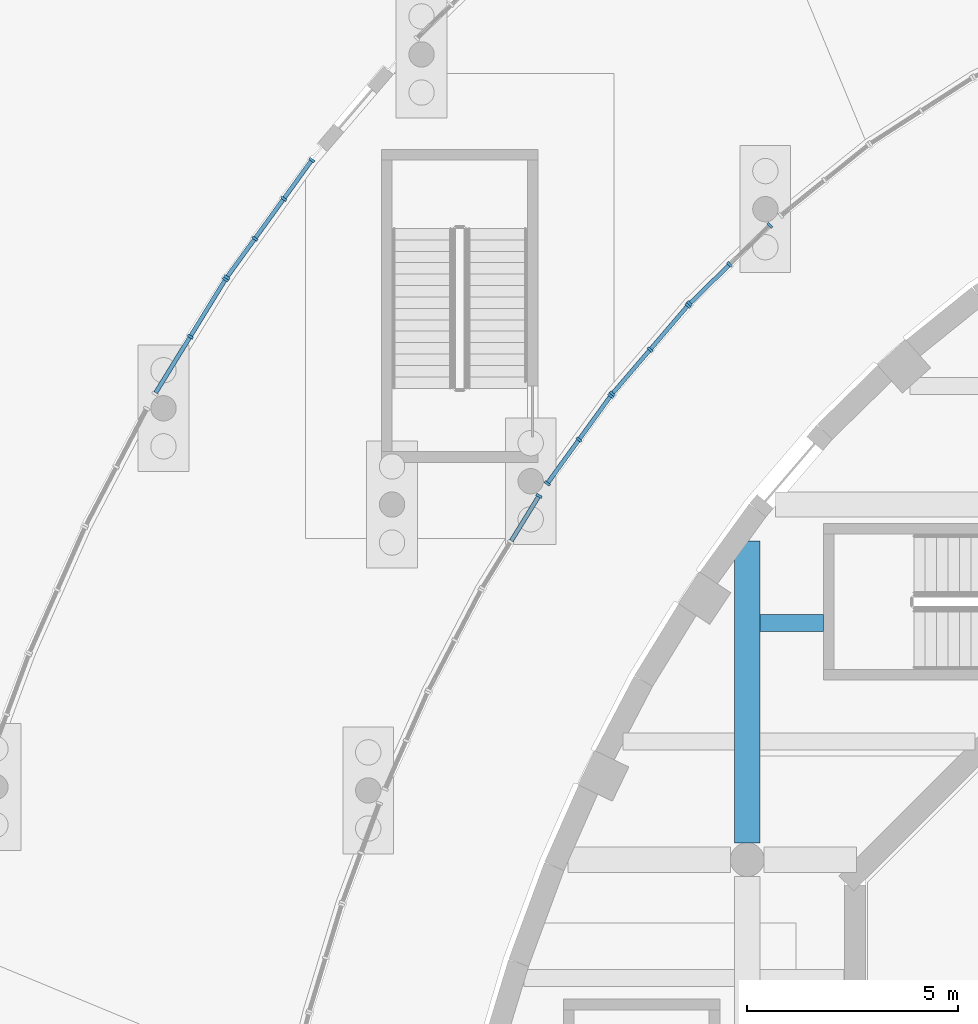
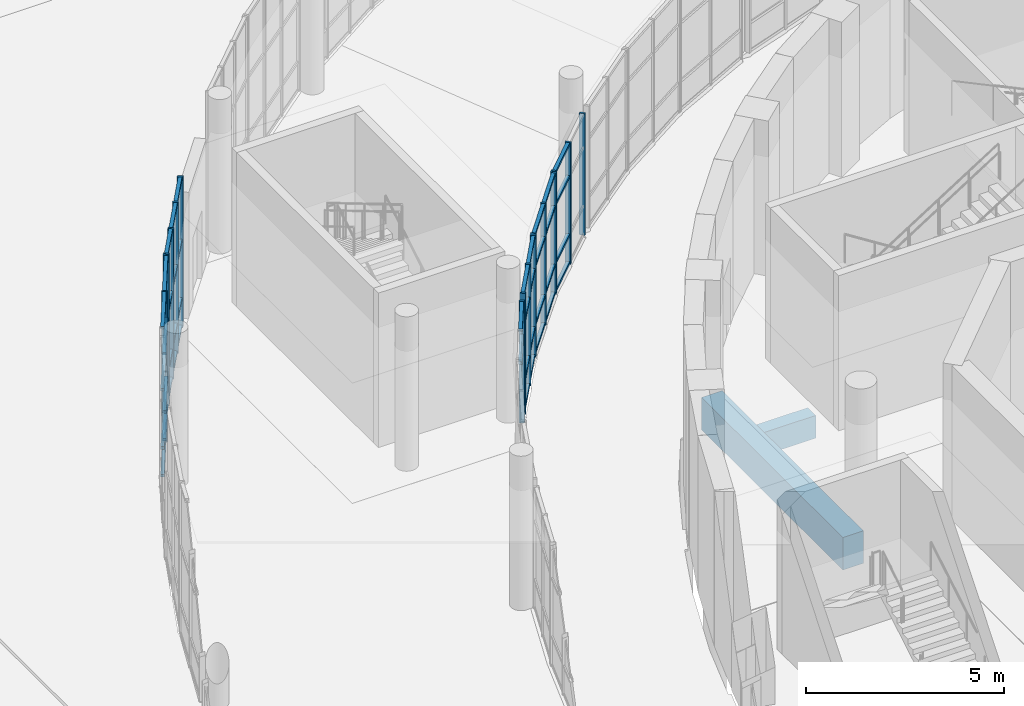
# One storey, part 28 of 110: 58 members, 2 beams, 6 elements without a shape of their own.
"""IFC4 building model written with IfcOpenShell, lengths in metres."""

from ifc_helpers import new_model, si_unit, direction, frame, origin, origin_2d, place, context, subcontext, project, spatial, rectangle, extrude, material, layer, layer_set, material_profile, profile_set, type_object, element, aggregate, save


model = new_model("IFC4")

# Units and contexts
model_context = context("Model", 3, precision=1e-05, world=origin(), true_north=direction((0.0, 1.0)))
body_context = subcontext(model_context, "Body", "Model", "MODEL_VIEW")
ifc_project = project(units=[si_unit("LENGTHUNIT", "METRE"), si_unit("AREAUNIT", "SQUARE_METRE"), si_unit("VOLUMEUNIT", "CUBIC_METRE"), si_unit("PLANEANGLEUNIT", "RADIAN"), si_unit("MASSUNIT", "GRAM", prefix="KILO")], contexts=[model_context])

# Site, building, storey
site_placement = place(None, origin())
site = spatial("IfcSite", under=ifc_project, at=site_placement, CompositionType="ELEMENT")
building_placement = place(site_placement, origin())
building = spatial("IfcBuilding", under=site, at=building_placement, Name="Larchfold Concert Hall", CompositionType="ELEMENT")
storey_placement = place(building_placement, origin())
storey = spatial("IfcBuildingStorey", under=building, at=storey_placement, Name="L00", CompositionType="ELEMENT", Elevation=0.0)

# Curtain wall, member
ifc_material_1 = material(Name="Anodised graphite aluminium curtain wall", Category="aluminium")
ifc_layer = layer(ifc_material_1, 0.14990234375)
ifc_layer_set = layer_set([ifc_layer], Name="Anodised graphite aluminium curtain wall")
curtain_wall_type = type_object("IfcCurtainWallType", Name="Curtain wall WG", PredefinedType="NOTDEFINED", material=ifc_layer_set)
curtain_wall_1_placement = place(storey_placement, origin())
curtain_wall_1 = element("IfcCurtainWall", 1, at=curtain_wall_1_placement, inside=storey, type_object=curtain_wall_type, Name="Curtain wall CW0080", PredefinedType="NOTDEFINED")
ifc_material_2 = material(Name="Anodised graphite aluminium mullion", Category="aluminium")
ifc_material_profile_1 = material_profile(ifc_material_2, rectangle(XDim=0.14990234375, YDim=0.06005859375, at=origin_2d()))
ifc_profile_set_1 = profile_set([ifc_material_profile_1], Name="Anodised graphite aluminium mullion")
member_type_1 = type_object("IfcMemberType", Name="Aluminium mullion 60x150", PredefinedType="MULLION", material=ifc_profile_set_1)
member_1_placement = place(storey_placement, frame((20.875244140625, 110.005126953125, 0.0), z_axis=(0.0, 0.0, 1.0), x_axis=(-0.851655115363, 0.524102627808, 0.0)))
member_1 = element("IfcMember", 2, at=member_1_placement, type_object=member_type_1, Name="CW0080 mullion 3", PredefinedType="MULLION", context=body_context, shape_type="SweptSolid", body=[
    extrude(rectangle(XDim=0.14990234375, YDim=0.06005859375, at=origin_2d()), origin(), (0.0, 0.0, 1.0), 3.75),
])

# Curtain wall, members
curtain_wall_2_placement = place(storey_placement, origin())
curtain_wall_2 = element("IfcCurtainWall", 3, at=curtain_wall_2_placement, inside=storey, type_object=curtain_wall_type, Name="Curtain wall CW0081", PredefinedType="NOTDEFINED")
member_2_placement = place(storey_placement, frame((21.072509765625, 110.298828125, 0.0), z_axis=(0.0, 0.0, 1.0), x_axis=(-0.809887159261, 0.58658570496, 0.0)))
member_2 = element("IfcMember", 4, at=member_2_placement, type_object=member_type_1, Name="CW0081 mullion 1", PredefinedType="MULLION", context=body_context, shape_type="SweptSolid", body=[
    extrude(rectangle(XDim=0.14990234375, YDim=0.06005859375, at=origin_2d()), origin(), (0.0, 0.0, 1.0), 3.75),
])
member_3_placement = place(storey_placement, frame((21.8232421875, 111.335205078125, 0.0), z_axis=(0.0, 0.0, 1.0), x_axis=(-0.809887159261, 0.58658570496, 0.0)))
member_3 = element("IfcMember", 5, at=member_3_placement, type_object=member_type_1, Name="CW0081 mullion 2", PredefinedType="MULLION", context=body_context, shape_type="SweptSolid", body=[
    extrude(rectangle(XDim=0.14990234375, YDim=0.06005859375, at=origin_2d()), origin(), (0.0, 0.0, 1.0), 3.75),
])
member_4_placement = place(storey_placement, frame((22.573974609375, 112.37158203125, 0.0), z_axis=(0.0, 0.0, 1.0), x_axis=(-0.809887159261, 0.58658570496, 0.0)))
member_4 = element("IfcMember", 6, at=member_4_placement, type_object=member_type_1, Name="CW0081 mullion 3", PredefinedType="MULLION", context=body_context, shape_type="SweptSolid", body=[
    extrude(rectangle(XDim=0.14990234375, YDim=0.06005859375, at=origin_2d()), origin(), (0.0, 0.0, 1.0), 3.75),
])

curtain_wall_3_placement = place(storey_placement, origin())
curtain_wall_3 = element("IfcCurtainWall", 7, at=curtain_wall_3_placement, inside=storey, type_object=curtain_wall_type, Name="Curtain wall CW0082", PredefinedType="NOTDEFINED")
member_5_placement = place(storey_placement, frame((22.611083984375, 112.418701171875, 0.0), z_axis=(0.0, 0.0, 1.0), x_axis=(-0.759495997398, 0.650511975245, 0.0)))
member_5 = element("IfcMember", 8, at=member_5_placement, type_object=member_type_1, Name="CW0082 mullion 1", PredefinedType="MULLION", context=body_context, shape_type="SweptSolid", body=[
    extrude(rectangle(XDim=0.14990234375, YDim=0.06005859375, at=origin_2d()), origin(), (0.0, 0.0, 1.0), 3.75),
])
member_6_placement = place(storey_placement, frame((23.504638671875, 113.4619140625, 0.0), z_axis=(0.0, 0.0, 1.0), x_axis=(-0.759495997398, 0.650511975245, 0.0)))
member_6 = element("IfcMember", 9, at=member_6_placement, type_object=member_type_1, Name="CW0082 mullion 2", PredefinedType="MULLION", context=body_context, shape_type="SweptSolid", body=[
    extrude(rectangle(XDim=0.14990234375, YDim=0.06005859375, at=origin_2d()), origin(), (0.0, 0.0, 1.0), 3.75),
])
member_7_placement = place(storey_placement, frame((24.39794921875, 114.505126953125, 0.0), z_axis=(0.0, 0.0, 1.0), x_axis=(-0.759495997398, 0.650511975245, 0.0)))
member_7 = element("IfcMember", 10, at=member_7_placement, type_object=member_type_1, Name="CW0082 mullion 3", PredefinedType="MULLION", context=body_context, shape_type="SweptSolid", body=[
    extrude(rectangle(XDim=0.14990234375, YDim=0.06005859375, at=origin_2d()), origin(), (0.0, 0.0, 1.0), 3.75),
])

curtain_wall_4_placement = place(storey_placement, origin())
curtain_wall_4 = element("IfcCurtainWall", 11, at=curtain_wall_4_placement, inside=storey, type_object=curtain_wall_type, Name="Curtain wall CW0083", PredefinedType="NOTDEFINED")
member_8_placement = place(storey_placement, frame((24.43896484375, 114.548828125, 0.0), z_axis=(0.0, 0.0, 1.0), x_axis=(-0.69909205443, 0.715031677223, 0.0)))
member_8 = element("IfcMember", 12, at=member_8_placement, type_object=member_type_1, Name="CW0083 mullion 1", PredefinedType="MULLION", context=body_context, shape_type="SweptSolid", body=[
    extrude(rectangle(XDim=0.14990234375, YDim=0.06005859375, at=origin_2d()), origin(), (0.0, 0.0, 1.0), 3.75),
])
member_9_placement = place(storey_placement, frame((25.38671875, 115.475341796875, 0.0), z_axis=(0.0, 0.0, 1.0), x_axis=(-0.69909205443, 0.715031677223, 0.0)))
member_9 = element("IfcMember", 13, at=member_9_placement, type_object=member_type_1, Name="CW0083 mullion 2", PredefinedType="MULLION", context=body_context, shape_type="SweptSolid", body=[
    extrude(rectangle(XDim=0.14990234375, YDim=0.06005859375, at=origin_2d()), origin(), (0.0, 0.0, 1.0), 3.75),
])
member_10_placement = place(storey_placement, frame((26.33447265625, 116.402099609375, 0.0), z_axis=(0.0, 0.0, 1.0), x_axis=(-0.69909205443, 0.715031677223, 0.0)))
member_10 = element("IfcMember", 14, at=member_10_placement, type_object=member_type_1, Name="CW0083 mullion 3", PredefinedType="MULLION", context=body_context, shape_type="SweptSolid", body=[
    extrude(rectangle(XDim=0.14990234375, YDim=0.06005859375, at=origin_2d()), origin(), (0.0, 0.0, 1.0), 3.75),
])

curtain_wall_5_placement = place(storey_placement, origin())
curtain_wall_5 = element("IfcCurtainWall", 15, at=curtain_wall_5_placement, inside=storey, type_object=curtain_wall_type, Name="Curtain wall CW0108", PredefinedType="NOTDEFINED")
member_11_placement = place(storey_placement, frame((15.500244140625, 117.947998046875, 0.0), z_axis=(0.0, 0.0, 1.0), x_axis=(0.809846830142, -0.586641382541, 0.0)))
member_11 = element("IfcMember", 16, at=member_11_placement, type_object=member_type_1, Name="CW0108 mullion 1", PredefinedType="MULLION", context=body_context, shape_type="SweptSolid", body=[
    extrude(rectangle(XDim=0.14990234375, YDim=0.06005859375, at=origin_2d()), origin(), (0.0, 0.0, 1.0), 4.64990234375),
])
member_12_placement = place(storey_placement, frame((14.836669921875, 117.031982421875, 0.0), z_axis=(0.0, 0.0, 1.0), x_axis=(0.809846830142, -0.586641382541, 0.0)))
member_12 = element("IfcMember", 17, at=member_12_placement, type_object=member_type_1, Name="CW0108 mullion 2", PredefinedType="MULLION", context=body_context, shape_type="SweptSolid", body=[
    extrude(rectangle(XDim=0.14990234375, YDim=0.06005859375, at=origin_2d()), origin(), (0.0, 0.0, 1.0), 4.64990234375),
])
member_13_placement = place(storey_placement, frame((14.1552734375, 116.091552734375, 0.0), z_axis=(0.0, 0.0, 1.0), x_axis=(0.809846830142, -0.586641382541, 0.0)))
member_13 = element("IfcMember", 18, at=member_13_placement, type_object=member_type_1, Name="CW0108 mullion 3", PredefinedType="MULLION", context=body_context, shape_type="SweptSolid", body=[
    extrude(rectangle(XDim=0.14990234375, YDim=0.06005859375, at=origin_2d()), origin(), (0.0, 0.0, 1.0), 4.64990234375),
])
member_14_placement = place(storey_placement, frame((13.49169921875, 115.175537109375, 0.0), z_axis=(0.0, 0.0, 1.0), x_axis=(0.809846830142, -0.586641382541, 0.0)))
member_14 = element("IfcMember", 19, at=member_14_placement, type_object=member_type_1, Name="CW0108 mullion 4", PredefinedType="MULLION", context=body_context, shape_type="SweptSolid", body=[
    extrude(rectangle(XDim=0.14990234375, YDim=0.06005859375, at=origin_2d()), origin(), (0.0, 0.0, 1.0), 4.64990234375),
])

curtain_wall_6_placement = place(storey_placement, origin())
curtain_wall_6 = element("IfcCurtainWall", 20, at=curtain_wall_6_placement, inside=storey, type_object=curtain_wall_type, Name="Curtain wall CW0109", PredefinedType="NOTDEFINED")
member_15_placement = place(storey_placement, frame((13.45849609375, 115.12548828125, 0.0), z_axis=(0.0, 0.0, 1.0), x_axis=(0.851668675828, -0.524080591715, 0.0)))
member_15 = element("IfcMember", 21, at=member_15_placement, type_object=member_type_1, Name="CW0109 mullion 1", PredefinedType="MULLION", context=body_context, shape_type="SweptSolid", body=[
    extrude(rectangle(XDim=0.14990234375, YDim=0.06005859375, at=origin_2d()), origin(), (0.0, 0.0, 1.0), 4.64990234375),
])
member_16_placement = place(storey_placement, frame((12.6259765625, 113.772705078125, 0.0), z_axis=(0.0, 0.0, 1.0), x_axis=(0.851668675828, -0.524080591715, 0.0)))
member_16 = element("IfcMember", 22, at=member_16_placement, type_object=member_type_1, Name="CW0109 mullion 2", PredefinedType="MULLION", context=body_context, shape_type="SweptSolid", body=[
    extrude(rectangle(XDim=0.14990234375, YDim=0.06005859375, at=origin_2d()), origin(), (0.0, 0.0, 1.0), 4.64990234375),
])

# Member
ifc_material_3 = material(Name="Anodised graphite aluminium transom", Category="aluminium")
ifc_material_profile_2 = material_profile(ifc_material_3, rectangle(XDim=0.10009765625, YDim=0.080078125, at=origin_2d()))
ifc_profile_set_2 = profile_set([ifc_material_profile_2], Name="Anodised graphite aluminium transom")
member_type_2 = type_object("IfcMemberType", Name="Aluminium transom 80x100", PredefinedType="USERDEFINED", material=ifc_profile_set_2)
member_17_placement = place(storey_placement, frame((20.220458984375, 108.94140625, 2.699951171875), z_axis=(0.5240639064, 0.851678943034, 0.0), x_axis=(-0.851678943034, 0.5240639064, 0.0)))
member_17 = element("IfcMember", 23, at=member_17_placement, type_object=member_type_2, Name="CW0080 transom 2.3", ObjectType="TRANSOM", PredefinedType="USERDEFINED", context=body_context, shape_type="SweptSolid", body=[
    extrude(rectangle(XDim=0.10009765625, YDim=0.080078125, at=origin_2d()), origin(), (0.0, 0.0, 1.0), 1.21923828125),
])

member_18_placement = place(storey_placement, frame((20.220458984375, 108.94140625, 3.7099609375), z_axis=(0.5240639064, 0.851678943034, 0.0), x_axis=(-0.851678943034, 0.5240639064, 0.0)))
member_18 = element("IfcMember", 24, at=member_18_placement, type_object=member_type_2, Name="CW0080 transom 2.4", ObjectType="TRANSOM", PredefinedType="USERDEFINED", context=body_context, shape_type="SweptSolid", body=[
    extrude(rectangle(XDim=0.10009765625, YDim=0.080078125, at=origin_2d()), origin(), (0.0, 0.0, 1.0), 1.21923828125),
])

aggregate(curtain_wall_1, [member_1, member_17, member_18])

member_19_placement = place(storey_placement, frame((21.090087890625, 110.322998046875, 0.0400390625), z_axis=(0.586659217101, 0.809833910744, 0.0), x_axis=(-0.809833910744, 0.586659217101, 0.0)))
member_19 = element("IfcMember", 25, at=member_19_placement, type_object=member_type_2, Name="CW0081 transom 1.1", ObjectType="TRANSOM", PredefinedType="USERDEFINED", context=body_context, shape_type="SweptSolid", body=[
    extrude(rectangle(XDim=0.10009765625, YDim=0.080078125, at=origin_2d()), origin(), (0.0, 0.0, 1.0), 1.2197265625),
])

member_20_placement = place(storey_placement, frame((21.090087890625, 110.322998046875, 0.89990234375), z_axis=(0.586659217101, 0.809833910744, 0.0), x_axis=(-0.809833910744, 0.586659217101, 0.0)))
member_20 = element("IfcMember", 26, at=member_20_placement, type_object=member_type_2, Name="CW0081 transom 1.2", ObjectType="TRANSOM", PredefinedType="USERDEFINED", context=body_context, shape_type="SweptSolid", body=[
    extrude(rectangle(XDim=0.10009765625, YDim=0.080078125, at=origin_2d()), origin(), (0.0, 0.0, 1.0), 1.2197265625),
])

member_21_placement = place(storey_placement, frame((21.090087890625, 110.322998046875, 2.699951171875), z_axis=(0.586659217101, 0.809833910744, 0.0), x_axis=(-0.809833910744, 0.586659217101, 0.0)))
member_21 = element("IfcMember", 27, at=member_21_placement, type_object=member_type_2, Name="CW0081 transom 1.3", ObjectType="TRANSOM", PredefinedType="USERDEFINED", context=body_context, shape_type="SweptSolid", body=[
    extrude(rectangle(XDim=0.10009765625, YDim=0.080078125, at=origin_2d()), origin(), (0.0, 0.0, 1.0), 1.2197265625),
])

member_22_placement = place(storey_placement, frame((21.090087890625, 110.322998046875, 3.7099609375), z_axis=(0.586659217101, 0.809833910744, 0.0), x_axis=(-0.809833910744, 0.586659217101, 0.0)))
member_22 = element("IfcMember", 28, at=member_22_placement, type_object=member_type_2, Name="CW0081 transom 1.4", ObjectType="TRANSOM", PredefinedType="USERDEFINED", context=body_context, shape_type="SweptSolid", body=[
    extrude(rectangle(XDim=0.10009765625, YDim=0.080078125, at=origin_2d()), origin(), (0.0, 0.0, 1.0), 1.2197265625),
])

member_23_placement = place(storey_placement, frame((21.8408203125, 111.359619140625, 0.0400390625), z_axis=(0.586659217101, 0.809833910744, 0.0), x_axis=(-0.809833910744, 0.586659217101, 0.0)))
member_23 = element("IfcMember", 29, at=member_23_placement, type_object=member_type_2, Name="CW0081 transom 2.1", ObjectType="TRANSOM", PredefinedType="USERDEFINED", context=body_context, shape_type="SweptSolid", body=[
    extrude(rectangle(XDim=0.10009765625, YDim=0.080078125, at=origin_2d()), origin(), (0.0, 0.0, 1.0), 1.2197265625),
])

member_24_placement = place(storey_placement, frame((21.8408203125, 111.359619140625, 0.89990234375), z_axis=(0.586659217101, 0.809833910744, 0.0), x_axis=(-0.809833910744, 0.586659217101, 0.0)))
member_24 = element("IfcMember", 30, at=member_24_placement, type_object=member_type_2, Name="CW0081 transom 2.2", ObjectType="TRANSOM", PredefinedType="USERDEFINED", context=body_context, shape_type="SweptSolid", body=[
    extrude(rectangle(XDim=0.10009765625, YDim=0.080078125, at=origin_2d()), origin(), (0.0, 0.0, 1.0), 1.2197265625),
])

member_25_placement = place(storey_placement, frame((21.8408203125, 111.359619140625, 2.699951171875), z_axis=(0.586659217101, 0.809833910744, 0.0), x_axis=(-0.809833910744, 0.586659217101, 0.0)))
member_25 = element("IfcMember", 31, at=member_25_placement, type_object=member_type_2, Name="CW0081 transom 2.3", ObjectType="TRANSOM", PredefinedType="USERDEFINED", context=body_context, shape_type="SweptSolid", body=[
    extrude(rectangle(XDim=0.10009765625, YDim=0.080078125, at=origin_2d()), origin(), (0.0, 0.0, 1.0), 1.2197265625),
])

member_26_placement = place(storey_placement, frame((21.8408203125, 111.359619140625, 3.7099609375), z_axis=(0.586659217101, 0.809833910744, 0.0), x_axis=(-0.809833910744, 0.586659217101, 0.0)))
member_26 = element("IfcMember", 32, at=member_26_placement, type_object=member_type_2, Name="CW0081 transom 2.4", ObjectType="TRANSOM", PredefinedType="USERDEFINED", context=body_context, shape_type="SweptSolid", body=[
    extrude(rectangle(XDim=0.10009765625, YDim=0.080078125, at=origin_2d()), origin(), (0.0, 0.0, 1.0), 1.2197265625),
])

aggregate(curtain_wall_2, [member_2, member_3, member_4, member_19, member_20, member_21, member_22, member_23, member_24, member_25, member_26])

member_27_placement = place(storey_placement, frame((22.630615234375, 112.441650390625, 0.0400390625), z_axis=(0.650546428002, 0.759466487091, 0.0), x_axis=(-0.759466487091, 0.650546428002, 0.0)))
member_27 = element("IfcMember", 33, at=member_27_placement, type_object=member_type_2, Name="CW0082 transom 1.1", ObjectType="TRANSOM", PredefinedType="USERDEFINED", context=body_context, shape_type="SweptSolid", body=[
    extrude(rectangle(XDim=0.10009765625, YDim=0.080078125, at=origin_2d()), origin(), (0.0, 0.0, 1.0), 1.3134765625),
])

member_28_placement = place(storey_placement, frame((22.630615234375, 112.441650390625, 0.89990234375), z_axis=(0.650546428002, 0.759466487091, 0.0), x_axis=(-0.759466487091, 0.650546428002, 0.0)))
member_28 = element("IfcMember", 34, at=member_28_placement, type_object=member_type_2, Name="CW0082 transom 1.2", ObjectType="TRANSOM", PredefinedType="USERDEFINED", context=body_context, shape_type="SweptSolid", body=[
    extrude(rectangle(XDim=0.10009765625, YDim=0.080078125, at=origin_2d()), origin(), (0.0, 0.0, 1.0), 1.3134765625),
])

member_29_placement = place(storey_placement, frame((22.630615234375, 112.441650390625, 2.699951171875), z_axis=(0.650546428002, 0.759466487091, 0.0), x_axis=(-0.759466487091, 0.650546428002, 0.0)))
member_29 = element("IfcMember", 35, at=member_29_placement, type_object=member_type_2, Name="CW0082 transom 1.3", ObjectType="TRANSOM", PredefinedType="USERDEFINED", context=body_context, shape_type="SweptSolid", body=[
    extrude(rectangle(XDim=0.10009765625, YDim=0.080078125, at=origin_2d()), origin(), (0.0, 0.0, 1.0), 1.3134765625),
])

member_30_placement = place(storey_placement, frame((22.630615234375, 112.441650390625, 3.7099609375), z_axis=(0.650546428002, 0.759466487091, 0.0), x_axis=(-0.759466487091, 0.650546428002, 0.0)))
member_30 = element("IfcMember", 36, at=member_30_placement, type_object=member_type_2, Name="CW0082 transom 1.4", ObjectType="TRANSOM", PredefinedType="USERDEFINED", context=body_context, shape_type="SweptSolid", body=[
    extrude(rectangle(XDim=0.10009765625, YDim=0.080078125, at=origin_2d()), origin(), (0.0, 0.0, 1.0), 1.3134765625),
])

member_31_placement = place(storey_placement, frame((23.52392578125, 113.484619140625, 0.0400390625), z_axis=(0.650546428002, 0.759466487091, 0.0), x_axis=(-0.759466487091, 0.650546428002, 0.0)))
member_31 = element("IfcMember", 37, at=member_31_placement, type_object=member_type_2, Name="CW0082 transom 2.1", ObjectType="TRANSOM", PredefinedType="USERDEFINED", context=body_context, shape_type="SweptSolid", body=[
    extrude(rectangle(XDim=0.10009765625, YDim=0.080078125, at=origin_2d()), origin(), (0.0, 0.0, 1.0), 1.3134765625),
])

member_32_placement = place(storey_placement, frame((23.52392578125, 113.484619140625, 0.89990234375), z_axis=(0.650546428002, 0.759466487091, 0.0), x_axis=(-0.759466487091, 0.650546428002, 0.0)))
member_32 = element("IfcMember", 38, at=member_32_placement, type_object=member_type_2, Name="CW0082 transom 2.2", ObjectType="TRANSOM", PredefinedType="USERDEFINED", context=body_context, shape_type="SweptSolid", body=[
    extrude(rectangle(XDim=0.10009765625, YDim=0.080078125, at=origin_2d()), origin(), (0.0, 0.0, 1.0), 1.3134765625),
])

member_33_placement = place(storey_placement, frame((23.52392578125, 113.484619140625, 2.699951171875), z_axis=(0.650546428002, 0.759466487091, 0.0), x_axis=(-0.759466487091, 0.650546428002, 0.0)))
member_33 = element("IfcMember", 39, at=member_33_placement, type_object=member_type_2, Name="CW0082 transom 2.3", ObjectType="TRANSOM", PredefinedType="USERDEFINED", context=body_context, shape_type="SweptSolid", body=[
    extrude(rectangle(XDim=0.10009765625, YDim=0.080078125, at=origin_2d()), origin(), (0.0, 0.0, 1.0), 1.3134765625),
])

member_34_placement = place(storey_placement, frame((23.52392578125, 113.484619140625, 3.7099609375), z_axis=(0.650546428002, 0.759466487091, 0.0), x_axis=(-0.759466487091, 0.650546428002, 0.0)))
member_34 = element("IfcMember", 40, at=member_34_placement, type_object=member_type_2, Name="CW0082 transom 2.4", ObjectType="TRANSOM", PredefinedType="USERDEFINED", context=body_context, shape_type="SweptSolid", body=[
    extrude(rectangle(XDim=0.10009765625, YDim=0.080078125, at=origin_2d()), origin(), (0.0, 0.0, 1.0), 1.3134765625),
])

aggregate(curtain_wall_3, [member_5, member_6, member_7, member_27, member_28, member_29, member_30, member_31, member_32, member_33, member_34])

member_35_placement = place(storey_placement, frame((24.46044921875, 114.56982421875, 0.0400390625), z_axis=(0.714972379402, 0.699152699124, 0.0), x_axis=(-0.699152699124, 0.714972379402, 0.0)))
member_35 = element("IfcMember", 41, at=member_35_placement, type_object=member_type_2, Name="CW0083 transom 1.1", ObjectType="TRANSOM", PredefinedType="USERDEFINED", context=body_context, shape_type="SweptSolid", body=[
    extrude(rectangle(XDim=0.10009765625, YDim=0.080078125, at=origin_2d()), origin(), (0.0, 0.0, 1.0), 1.265380859375),
])

member_36_placement = place(storey_placement, frame((24.46044921875, 114.56982421875, 0.89990234375), z_axis=(0.714972379402, 0.699152699124, 0.0), x_axis=(-0.699152699124, 0.714972379402, 0.0)))
member_36 = element("IfcMember", 42, at=member_36_placement, type_object=member_type_2, Name="CW0083 transom 1.2", ObjectType="TRANSOM", PredefinedType="USERDEFINED", context=body_context, shape_type="SweptSolid", body=[
    extrude(rectangle(XDim=0.10009765625, YDim=0.080078125, at=origin_2d()), origin(), (0.0, 0.0, 1.0), 1.265380859375),
])

member_37_placement = place(storey_placement, frame((24.46044921875, 114.56982421875, 2.699951171875), z_axis=(0.714972379402, 0.699152699124, 0.0), x_axis=(-0.699152699124, 0.714972379402, 0.0)))
member_37 = element("IfcMember", 43, at=member_37_placement, type_object=member_type_2, Name="CW0083 transom 1.3", ObjectType="TRANSOM", PredefinedType="USERDEFINED", context=body_context, shape_type="SweptSolid", body=[
    extrude(rectangle(XDim=0.10009765625, YDim=0.080078125, at=origin_2d()), origin(), (0.0, 0.0, 1.0), 1.265380859375),
])

member_38_placement = place(storey_placement, frame((24.46044921875, 114.56982421875, 3.7099609375), z_axis=(0.714972379402, 0.699152699124, 0.0), x_axis=(-0.699152699124, 0.714972379402, 0.0)))
member_38 = element("IfcMember", 44, at=member_38_placement, type_object=member_type_2, Name="CW0083 transom 1.4", ObjectType="TRANSOM", PredefinedType="USERDEFINED", context=body_context, shape_type="SweptSolid", body=[
    extrude(rectangle(XDim=0.10009765625, YDim=0.080078125, at=origin_2d()), origin(), (0.0, 0.0, 1.0), 1.265380859375),
])

aggregate(curtain_wall_4, [member_8, member_9, member_10, member_35, member_36, member_37, member_38])

member_39_placement = place(storey_placement, frame((15.482666015625, 117.923828125, 0.0400390625), z_axis=(-0.5866799432, -0.809818895956, 0.0), x_axis=(0.809818895956, -0.5866799432, 0.0)))
member_39 = element("IfcMember", 45, at=member_39_placement, type_object=member_type_2, Name="CW0108 transom 1.1", ObjectType="TRANSOM", PredefinedType="USERDEFINED", context=body_context, shape_type="SweptSolid", body=[
    extrude(rectangle(XDim=0.10009765625, YDim=0.080078125, at=origin_2d()), origin(), (0.0, 0.0, 1.0), 1.071044921875),
])

member_40_placement = place(storey_placement, frame((15.482666015625, 117.923828125, 0.89990234375), z_axis=(-0.5866799432, -0.809818895956, 0.0), x_axis=(0.809818895956, -0.5866799432, 0.0)))
member_40 = element("IfcMember", 46, at=member_40_placement, type_object=member_type_2, Name="CW0108 transom 1.2", ObjectType="TRANSOM", PredefinedType="USERDEFINED", context=body_context, shape_type="SweptSolid", body=[
    extrude(rectangle(XDim=0.10009765625, YDim=0.080078125, at=origin_2d()), origin(), (0.0, 0.0, 1.0), 1.071044921875),
])

member_41_placement = place(storey_placement, frame((15.482666015625, 117.923828125, 2.699951171875), z_axis=(-0.5866799432, -0.809818895956, 0.0), x_axis=(0.809818895956, -0.5866799432, 0.0)))
member_41 = element("IfcMember", 47, at=member_41_placement, type_object=member_type_2, Name="CW0108 transom 1.3", ObjectType="TRANSOM", PredefinedType="USERDEFINED", context=body_context, shape_type="SweptSolid", body=[
    extrude(rectangle(XDim=0.10009765625, YDim=0.080078125, at=origin_2d()), origin(), (0.0, 0.0, 1.0), 1.071044921875),
])

member_42_placement = place(storey_placement, frame((15.482666015625, 117.923828125, 4.60986328125), z_axis=(-0.5866799432, -0.809818895956, 0.0), x_axis=(0.809818895956, -0.5866799432, 0.0)))
member_42 = element("IfcMember", 48, at=member_42_placement, type_object=member_type_2, Name="CW0108 transom 1.4", ObjectType="TRANSOM", PredefinedType="USERDEFINED", context=body_context, shape_type="SweptSolid", body=[
    extrude(rectangle(XDim=0.10009765625, YDim=0.080078125, at=origin_2d()), origin(), (0.0, 0.0, 1.0), 1.071044921875),
])

member_43_placement = place(storey_placement, frame((14.819091796875, 117.007568359375, 0.0400390625), z_axis=(-0.586865840086, -0.809684188891, 0.0), x_axis=(0.809684188891, -0.586865840086, 0.0)))
member_43 = element("IfcMember", 49, at=member_43_placement, type_object=member_type_2, Name="CW0108 transom 2.1", ObjectType="TRANSOM", PredefinedType="USERDEFINED", context=body_context, shape_type="SweptSolid", body=[
    extrude(rectangle(XDim=0.10009765625, YDim=0.080078125, at=origin_2d()), origin(), (0.0, 0.0, 1.0), 1.10107421875),
])

member_44_placement = place(storey_placement, frame((14.819091796875, 117.007568359375, 0.89990234375), z_axis=(-0.586865840086, -0.809684188891, 0.0), x_axis=(0.809684188891, -0.586865840086, 0.0)))
member_44 = element("IfcMember", 50, at=member_44_placement, type_object=member_type_2, Name="CW0108 transom 2.2", ObjectType="TRANSOM", PredefinedType="USERDEFINED", context=body_context, shape_type="SweptSolid", body=[
    extrude(rectangle(XDim=0.10009765625, YDim=0.080078125, at=origin_2d()), origin(), (0.0, 0.0, 1.0), 1.10107421875),
])

member_45_placement = place(storey_placement, frame((14.819091796875, 117.007568359375, 2.699951171875), z_axis=(-0.586865840086, -0.809684188891, 0.0), x_axis=(0.809684188891, -0.586865840086, 0.0)))
member_45 = element("IfcMember", 51, at=member_45_placement, type_object=member_type_2, Name="CW0108 transom 2.3", ObjectType="TRANSOM", PredefinedType="USERDEFINED", context=body_context, shape_type="SweptSolid", body=[
    extrude(rectangle(XDim=0.10009765625, YDim=0.080078125, at=origin_2d()), origin(), (0.0, 0.0, 1.0), 1.10107421875),
])

member_46_placement = place(storey_placement, frame((14.819091796875, 117.007568359375, 4.60986328125), z_axis=(-0.586865840086, -0.809684188891, 0.0), x_axis=(0.809684188891, -0.586865840086, 0.0)))
member_46 = element("IfcMember", 52, at=member_46_placement, type_object=member_type_2, Name="CW0108 transom 2.4", ObjectType="TRANSOM", PredefinedType="USERDEFINED", context=body_context, shape_type="SweptSolid", body=[
    extrude(rectangle(XDim=0.10009765625, YDim=0.080078125, at=origin_2d()), origin(), (0.0, 0.0, 1.0), 1.10107421875),
])

member_47_placement = place(storey_placement, frame((14.1376953125, 116.067138671875, 0.0400390625), z_axis=(-0.5866799432, -0.809818895956, 0.0), x_axis=(0.809818895956, -0.5866799432, 0.0)))
member_47 = element("IfcMember", 53, at=member_47_placement, type_object=member_type_2, Name="CW0108 transom 3.1", ObjectType="TRANSOM", PredefinedType="USERDEFINED", context=body_context, shape_type="SweptSolid", body=[
    extrude(rectangle(XDim=0.10009765625, YDim=0.080078125, at=origin_2d()), origin(), (0.0, 0.0, 1.0), 1.071044921875),
])

member_48_placement = place(storey_placement, frame((14.1376953125, 116.067138671875, 0.89990234375), z_axis=(-0.5866799432, -0.809818895956, 0.0), x_axis=(0.809818895956, -0.5866799432, 0.0)))
member_48 = element("IfcMember", 54, at=member_48_placement, type_object=member_type_2, Name="CW0108 transom 3.2", ObjectType="TRANSOM", PredefinedType="USERDEFINED", context=body_context, shape_type="SweptSolid", body=[
    extrude(rectangle(XDim=0.10009765625, YDim=0.080078125, at=origin_2d()), origin(), (0.0, 0.0, 1.0), 1.071044921875),
])

member_49_placement = place(storey_placement, frame((14.1376953125, 116.067138671875, 2.699951171875), z_axis=(-0.5866799432, -0.809818895956, 0.0), x_axis=(0.809818895956, -0.5866799432, 0.0)))
member_49 = element("IfcMember", 55, at=member_49_placement, type_object=member_type_2, Name="CW0108 transom 3.3", ObjectType="TRANSOM", PredefinedType="USERDEFINED", context=body_context, shape_type="SweptSolid", body=[
    extrude(rectangle(XDim=0.10009765625, YDim=0.080078125, at=origin_2d()), origin(), (0.0, 0.0, 1.0), 1.071044921875),
])

member_50_placement = place(storey_placement, frame((14.1376953125, 116.067138671875, 4.60986328125), z_axis=(-0.5866799432, -0.809818895956, 0.0), x_axis=(0.809818895956, -0.5866799432, 0.0)))
member_50 = element("IfcMember", 56, at=member_50_placement, type_object=member_type_2, Name="CW0108 transom 3.4", ObjectType="TRANSOM", PredefinedType="USERDEFINED", context=body_context, shape_type="SweptSolid", body=[
    extrude(rectangle(XDim=0.10009765625, YDim=0.080078125, at=origin_2d()), origin(), (0.0, 0.0, 1.0), 1.071044921875),
])

aggregate(curtain_wall_5, [member_11, member_12, member_13, member_14, member_39, member_40, member_41, member_42, member_43, member_44, member_45, member_46, member_47, member_48, member_49, member_50])

member_51_placement = place(storey_placement, frame((13.442626953125, 115.10009765625, 0.0400390625), z_axis=(-0.524070689659, -0.851674769052, 0.0), x_axis=(0.851674769052, -0.524070689659, 0.0)))
member_51 = element("IfcMember", 57, at=member_51_placement, type_object=member_type_2, Name="CW0109 transom 1.1", ObjectType="TRANSOM", PredefinedType="USERDEFINED", context=body_context, shape_type="SweptSolid", body=[
    extrude(rectangle(XDim=0.10009765625, YDim=0.080078125, at=origin_2d()), origin(), (0.0, 0.0, 1.0), 1.528564453125),
])

member_52_placement = place(storey_placement, frame((13.442626953125, 115.10009765625, 0.89990234375), z_axis=(-0.524070689659, -0.851674769052, 0.0), x_axis=(0.851674769052, -0.524070689659, 0.0)))
member_52 = element("IfcMember", 58, at=member_52_placement, type_object=member_type_2, Name="CW0109 transom 1.2", ObjectType="TRANSOM", PredefinedType="USERDEFINED", context=body_context, shape_type="SweptSolid", body=[
    extrude(rectangle(XDim=0.10009765625, YDim=0.080078125, at=origin_2d()), origin(), (0.0, 0.0, 1.0), 1.528564453125),
])

member_53_placement = place(storey_placement, frame((13.442626953125, 115.10009765625, 2.699951171875), z_axis=(-0.524070689659, -0.851674769052, 0.0), x_axis=(0.851674769052, -0.524070689659, 0.0)))
member_53 = element("IfcMember", 59, at=member_53_placement, type_object=member_type_2, Name="CW0109 transom 1.3", ObjectType="TRANSOM", PredefinedType="USERDEFINED", context=body_context, shape_type="SweptSolid", body=[
    extrude(rectangle(XDim=0.10009765625, YDim=0.080078125, at=origin_2d()), origin(), (0.0, 0.0, 1.0), 1.528564453125),
])

member_54_placement = place(storey_placement, frame((13.442626953125, 115.10009765625, 4.60986328125), z_axis=(-0.524070689659, -0.851674769052, 0.0), x_axis=(0.851674769052, -0.524070689659, 0.0)))
member_54 = element("IfcMember", 60, at=member_54_placement, type_object=member_type_2, Name="CW0109 transom 1.4", ObjectType="TRANSOM", PredefinedType="USERDEFINED", context=body_context, shape_type="SweptSolid", body=[
    extrude(rectangle(XDim=0.10009765625, YDim=0.080078125, at=origin_2d()), origin(), (0.0, 0.0, 1.0), 1.528564453125),
])

member_55_placement = place(storey_placement, frame((12.6103515625, 113.747314453125, 0.0400390625), z_axis=(-0.524070689659, -0.851674769052, 0.0), x_axis=(0.851674769052, -0.524070689659, 0.0)))
member_55 = element("IfcMember", 61, at=member_55_placement, type_object=member_type_2, Name="CW0109 transom 2.1", ObjectType="TRANSOM", PredefinedType="USERDEFINED", context=body_context, shape_type="SweptSolid", body=[
    extrude(rectangle(XDim=0.10009765625, YDim=0.080078125, at=origin_2d()), origin(), (0.0, 0.0, 1.0), 1.528564453125),
])

member_56_placement = place(storey_placement, frame((12.6103515625, 113.747314453125, 0.89990234375), z_axis=(-0.524070689659, -0.851674769052, 0.0), x_axis=(0.851674769052, -0.524070689659, 0.0)))
member_56 = element("IfcMember", 62, at=member_56_placement, type_object=member_type_2, Name="CW0109 transom 2.2", ObjectType="TRANSOM", PredefinedType="USERDEFINED", context=body_context, shape_type="SweptSolid", body=[
    extrude(rectangle(XDim=0.10009765625, YDim=0.080078125, at=origin_2d()), origin(), (0.0, 0.0, 1.0), 1.528564453125),
])

member_57_placement = place(storey_placement, frame((12.6103515625, 113.747314453125, 2.699951171875), z_axis=(-0.524070689659, -0.851674769052, 0.0), x_axis=(0.851674769052, -0.524070689659, 0.0)))
member_57 = element("IfcMember", 63, at=member_57_placement, type_object=member_type_2, Name="CW0109 transom 2.3", ObjectType="TRANSOM", PredefinedType="USERDEFINED", context=body_context, shape_type="SweptSolid", body=[
    extrude(rectangle(XDim=0.10009765625, YDim=0.080078125, at=origin_2d()), origin(), (0.0, 0.0, 1.0), 1.528564453125),
])

member_58_placement = place(storey_placement, frame((12.6103515625, 113.747314453125, 4.60986328125), z_axis=(-0.524070689659, -0.851674769052, 0.0), x_axis=(0.851674769052, -0.524070689659, 0.0)))
member_58 = element("IfcMember", 64, at=member_58_placement, type_object=member_type_2, Name="CW0109 transom 2.4", ObjectType="TRANSOM", PredefinedType="USERDEFINED", context=body_context, shape_type="SweptSolid", body=[
    extrude(rectangle(XDim=0.10009765625, YDim=0.080078125, at=origin_2d()), origin(), (0.0, 0.0, 1.0), 1.528564453125),
])

aggregate(curtain_wall_6, [member_15, member_16, member_51, member_52, member_53, member_54, member_55, member_56, member_57, member_58])

# Beams
ifc_material_4 = material(Name="Concrete C35/45", Category="concrete")
ifc_material_profile_3 = material_profile(ifc_material_4, rectangle(XDim=0.39990234375, YDim=0.699951171875, at=origin_2d()))
ifc_profile_set_3 = profile_set([ifc_material_profile_3], Name="Concrete C35/45")
beam_type_1 = type_object("IfcBeamType", Name="Beam RC 400x700", PredefinedType="BEAM", material=ifc_profile_set_3)
beam_1_placement = place(storey_placement, frame((26.10009765625, 107.0, -0.550048828125), z_axis=(1.0, 0.0, 0.0), x_axis=(0.0, 1.0, 0.0)))
element("IfcBeam", 65, at=beam_1_placement, inside=storey, type_object=beam_type_1, Name="Beam B1173", PredefinedType="BEAM", context=body_context, shape_type="SweptSolid", body=[
    extrude(rectangle(XDim=0.39990234375, YDim=0.699951171875, at=origin_2d()), origin(), (0.0, 0.0, 1.0), 1.5),
])
ifc_material_5 = material(Name="Concrete C35/45", Category="concrete")
ifc_material_profile_4 = material_profile(ifc_material_5, rectangle(XDim=0.60009765625, YDim=1.0, at=origin_2d()))
ifc_profile_set_4 = profile_set([ifc_material_profile_4], Name="Concrete C35/45")
beam_type_2 = type_object("IfcBeamType", Name="Beam RC 600x1000", PredefinedType="BEAM", material=ifc_profile_set_4)
beam_2_placement = place(storey_placement, frame((25.800048828125, 101.79833984375, -0.699951171875), z_axis=(0.0, 1.0, 0.0), x_axis=(-1.0, 0.0, 0.0)))
element("IfcBeam", 66, at=beam_2_placement, inside=storey, type_object=beam_type_2, Name="Beam B1109", PredefinedType="BEAM", context=body_context, shape_type="SweptSolid", body=[
    extrude(rectangle(XDim=0.60009765625, YDim=1.0, at=origin_2d()), origin(), (0.0, 0.0, 1.0), 7.134521484375),
])

save(model, "model.ifc")
